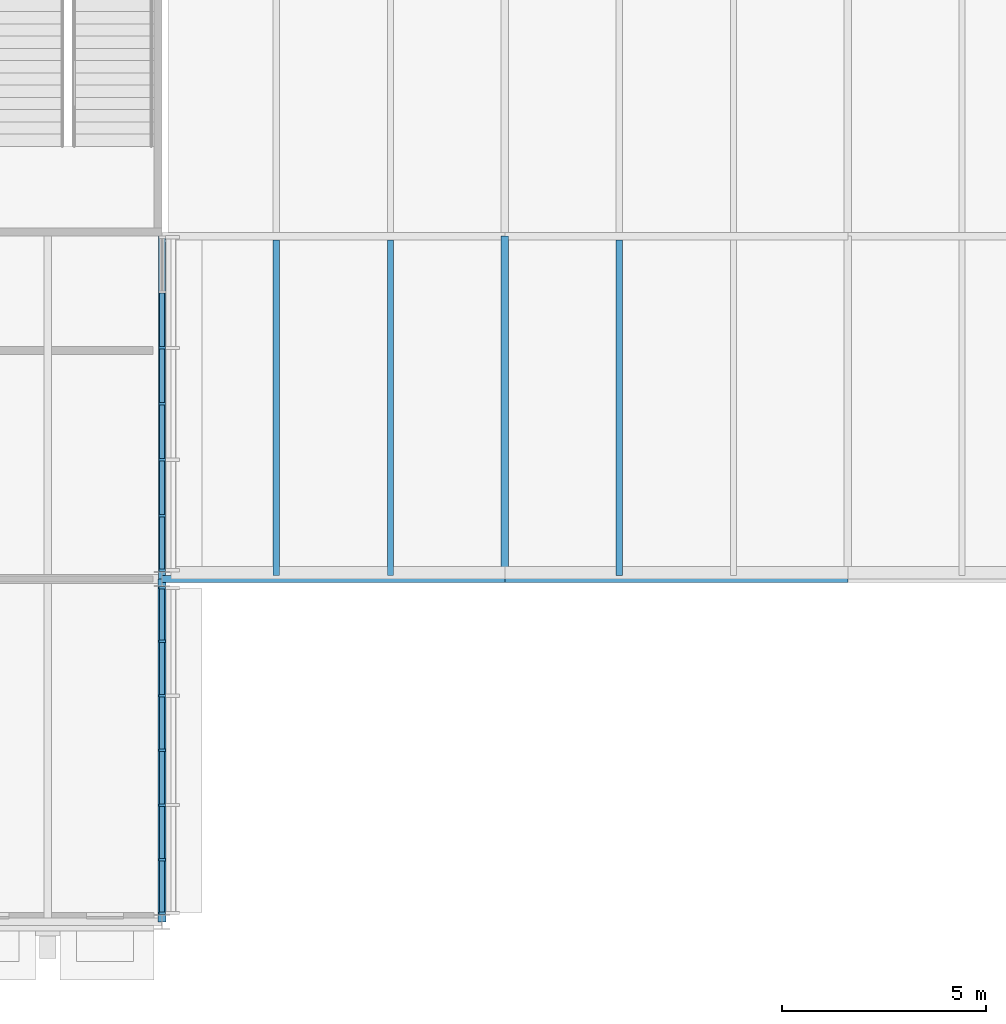
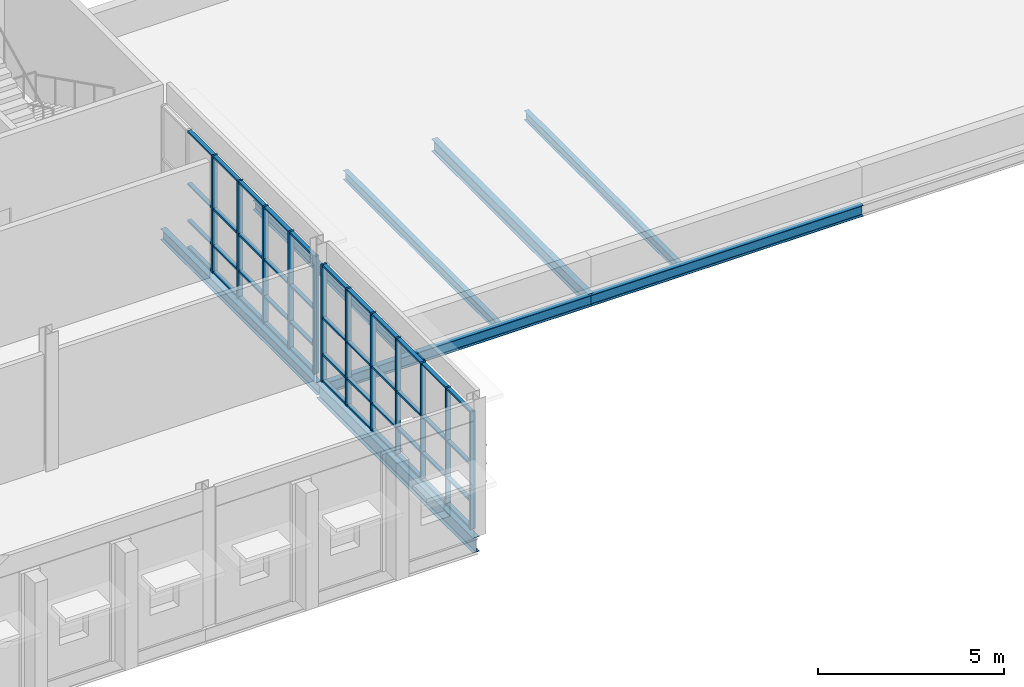
# One storey, part 6 of 29: 56 members, 8 beams, 2 elements without a shape of their own.
"""IFC4 building model written with IfcOpenShell, lengths in metres."""

from ifc_helpers import new_model, si_unit, direction, frame, origin, origin_2d, place, context, subcontext, project, spatial, rectangle, i_section, extrude, material, layer, layer_set, material_profile, profile_set, type_object, element, aggregate, save


model = new_model("IFC4")

# Units and contexts
model_context = context("Model", 3, precision=1e-05, world=origin(), true_north=direction((0.0, 1.0)))
body_context = subcontext(model_context, "Body", "Model", "MODEL_VIEW")
ifc_project = project(units=[si_unit("LENGTHUNIT", "METRE"), si_unit("AREAUNIT", "SQUARE_METRE"), si_unit("VOLUMEUNIT", "CUBIC_METRE"), si_unit("PLANEANGLEUNIT", "RADIAN"), si_unit("MASSUNIT", "GRAM", prefix="KILO")], contexts=[model_context])

# Site, building, storey
site_placement = place(None, origin())
site = spatial("IfcSite", under=ifc_project, at=site_placement, CompositionType="ELEMENT")
building_placement = place(site_placement, origin())
building = spatial("IfcBuilding", under=site, at=building_placement, Name="Ardhachandra Cancer Care Centre", CompositionType="ELEMENT")
storey_placement = place(building_placement, frame((0.0, 0.0, 13.5)))
storey = spatial("IfcBuildingStorey", under=building, at=storey_placement, Name="L03", CompositionType="ELEMENT", Elevation=13.5)

# Beams
ifc_material_1 = material(Name="Steel E350 (IS 2062)", Category="steel")
ifc_material_profile_1 = material_profile(ifc_material_1, i_section(OverallWidth=0.152099609375, OverallDepth=0.303955078125, WebThickness=0.008056640625, FlangeThickness=0.0126953125, FilletRadius=0.014892578125, at=origin_2d()), Name="NPB 300x150x49.32")
ifc_profile_set_1 = profile_set([ifc_material_profile_1], Name="Steel E350 (IS 2062)")
beam_type_1 = type_object("IfcBeamType", Name="Beam NPB 300x150x49.32", PredefinedType="BEAM", material=ifc_profile_set_1)
for number, where, z_axis, x_axis, name in (
    (1, (47.199951171875, 79.885986328125, -0.35205078125), (0.0, 1.0, 0.0), (-1.0, 0.0, 0.0), "Secondary J5-K5@2800"),
    (2, (50.0, 79.885986328125, -0.35205078125), (0.0, 1.0, 0.0), (-1.0, 0.0, 0.0), "Secondary J5-K5@5600"),
    (3, (55.60009765625, 79.885986328125, -0.35205078125), (0.0, 1.0, 0.0), (-1.0, 0.0, 0.0), "Secondary J6-K6@2800"),
):
    element("IfcBeam", number, at=place(storey_placement, frame(where, z_axis=z_axis, x_axis=x_axis)), inside=storey, type_object=beam_type_1, Name=name, PredefinedType="BEAM", context=body_context, shape_type="SweptSolid", body=[
        extrude(i_section(OverallWidth=0.152099609375, OverallDepth=0.303955078125, WebThickness=0.008056640625, FlangeThickness=0.0126953125, FilletRadius=0.014892578125, at=origin_2d()), origin(), (0.0, 0.0, 1.0), 8.22412109375),
    ])
ifc_material_2 = material(Name="Steel E350 (IS 2062)", Category="steel")
ifc_material_profile_2 = material_profile(ifc_material_2, i_section(OverallWidth=0.172119140625, OverallDepth=0.364013671875, WebThickness=0.00927734375, FlangeThickness=0.0146484375, FilletRadius=0.01806640625, at=origin_2d()), Name="NPB 350x170x66.04")
ifc_profile_set_2 = profile_set([ifc_material_profile_2], Name="Steel E350 (IS 2062)")
beam_type_2 = type_object("IfcBeamType", Name="Beam NPB 350x170x66.04", PredefinedType="BEAM", material=ifc_profile_set_2)
beam_1_placement = place(storey_placement, frame((44.39990234375, 79.800048828125, -0.382080078125), z_axis=(1.0, 0.0, 0.0), x_axis=(0.0, 1.0, 0.0)))
element("IfcBeam", 4, at=beam_1_placement, inside=storey, type_object=beam_type_2, Name="Edge girder J5-J6", PredefinedType="BEAM", context=body_context, shape_type="SweptSolid", body=[
    extrude(i_section(OverallWidth=0.172119140625, OverallDepth=0.364013671875, WebThickness=0.00927734375, FlangeThickness=0.0146484375, FilletRadius=0.01806640625, at=origin_2d()), origin(), (0.0, 0.0, 1.0), 8.400146484375),
])
for number, where, z_axis, x_axis, name in (
    (5, (52.800048828125, 79.800048828125, -0.382080078125), (1.0, 0.0, 0.0), (0.0, 1.0, 0.0), "Edge girder J6-J7"),
    (6, (44.39990234375, 79.800048828125, -0.382080078125), (0.0, 1.0, 0.0), (-1.0, 0.0, 0.0), "Edge girder J5-K5"),
):
    element("IfcBeam", number, at=place(storey_placement, frame(where, z_axis=z_axis, x_axis=x_axis)), inside=storey, type_object=beam_type_2, Name=name, PredefinedType="BEAM", context=body_context, shape_type="SweptSolid", body=[
        extrude(i_section(OverallWidth=0.172119140625, OverallDepth=0.364013671875, WebThickness=0.00927734375, FlangeThickness=0.0146484375, FilletRadius=0.01806640625, at=origin_2d()), origin(), (0.0, 0.0, 1.0), 8.39990234375),
    ])
ifc_material_3 = material(Name="Steel E350 (IS 2062)", Category="steel")
ifc_material_profile_3 = material_profile(ifc_material_3, i_section(OverallWidth=0.179931640625, OverallDepth=0.39990234375, WebThickness=0.008544921875, FlangeThickness=0.013427734375, FilletRadius=0.02099609375, at=origin_2d()), Name="NPB 400x180x66.30")
ifc_profile_set_3 = profile_set([ifc_material_profile_3], Name="Steel E350 (IS 2062)")
beam_type_3 = type_object("IfcBeamType", Name="Beam NPB 400x180x66.30", PredefinedType="BEAM", material=ifc_profile_set_3)
beam_2_placement = place(storey_placement, frame((52.800048828125, 79.800048828125, -0.39990234375), z_axis=(0.0, 1.0, 0.0), x_axis=(-1.0, 0.0, 0.0)))
element("IfcBeam", 7, at=beam_2_placement, inside=storey, type_object=beam_type_3, Name="Girder J6-K6", PredefinedType="BEAM", context=body_context, shape_type="SweptSolid", body=[
    extrude(i_section(OverallWidth=0.179931640625, OverallDepth=0.39990234375, WebThickness=0.008544921875, FlangeThickness=0.013427734375, FilletRadius=0.02099609375, at=origin_2d()), origin(), (0.0, 0.0, 1.0), 8.39990234375),
])
ifc_material_4 = material(Name="Steel E350 (IS 2062)", Category="steel")
ifc_material_profile_4 = material_profile(ifc_material_4, i_section(OverallWidth=0.199951171875, OverallDepth=0.5, WebThickness=0.01025390625, FlangeThickness=0.01611328125, FilletRadius=0.02099609375, at=origin_2d()), Name="NPB 500x200x90.68")
ifc_profile_set_4 = profile_set([ifc_material_profile_4], Name="Steel E350 (IS 2062)")
beam_type_4 = type_object("IfcBeamType", Name="Beam NPB 500x200x90.68", PredefinedType="BEAM", material=ifc_profile_set_4)
beam_3_placement = place(storey_placement, frame((44.39990234375, 71.39990234375, -0.39990234375), z_axis=(0.0, 1.0, 0.0), x_axis=(-1.0, 0.0, 0.0)))
element("IfcBeam", 8, at=beam_3_placement, inside=storey, type_object=beam_type_4, Name="Edge girder H5-J5", PredefinedType="BEAM", context=body_context, shape_type="SweptSolid", body=[
    extrude(i_section(OverallWidth=0.199951171875, OverallDepth=0.5, WebThickness=0.01025390625, FlangeThickness=0.01611328125, FilletRadius=0.02099609375, at=origin_2d()), origin(), (0.0, 0.0, 1.0), 8.400146484375),
])

# Curtain wall, members
ifc_material_5 = material(Name="Aluminium extrusion", Category="aluminium")
ifc_layer = layer(ifc_material_5, 0.14990234375)
ifc_layer_set = layer_set([ifc_layer], Name="Aluminium extrusion")
curtain_wall_type = type_object("IfcCurtainWallType", Name="Curtain wall run", PredefinedType="NOTDEFINED", material=ifc_layer_set)
curtain_wall_1_placement = place(storey_placement, origin())
curtain_wall_1 = element("IfcCurtainWall", 9, at=curtain_wall_1_placement, inside=storey, type_object=curtain_wall_type, Name="Curtain wall L03 e/0044400_0071400", PredefinedType="NOTDEFINED")
ifc_material_6 = material(Name="Aluminium extrusion", Category="aluminium")
ifc_material_profile_5 = material_profile(ifc_material_6, rectangle(XDim=0.159912109375, YDim=0.06005859375, at=origin_2d()), Name="Curtain wall mullion 60 x 160")
ifc_profile_set_5 = profile_set([ifc_material_profile_5], Name="Aluminium extrusion")
member_type_1 = type_object("IfcMemberType", Name="Curtain wall mullion 60 x 160", PredefinedType="MULLION", material=ifc_profile_set_5)
member_1_placement = place(storey_placement, frame((44.39990234375, 71.614013671875, 0.0), z_axis=(0.0, 0.0, 1.0), x_axis=(-1.0, 0.0, 0.0)))
member_1 = element("IfcMember", 10, at=member_1_placement, type_object=member_type_1, Name="CW mullion 1", PredefinedType="MULLION", context=body_context, shape_type="SweptSolid", body=[
    extrude(rectangle(XDim=0.159912109375, YDim=0.06005859375, at=origin_2d()), origin(), (0.0, 0.0, 1.0), 3.85009765625),
])
member_2_placement = place(storey_placement, frame((44.39990234375, 72.922607421875, 0.0), z_axis=(0.0, 0.0, 1.0), x_axis=(-1.0, 0.0, 0.0)))
member_2 = element("IfcMember", 11, at=member_2_placement, type_object=member_type_1, Name="CW mullion 2", PredefinedType="MULLION", context=body_context, shape_type="SweptSolid", body=[
    extrude(rectangle(XDim=0.159912109375, YDim=0.06005859375, at=origin_2d()), origin(), (0.0, 0.0, 1.0), 3.85009765625),
])
member_3_placement = place(storey_placement, frame((44.39990234375, 74.26123046875, 0.0), z_axis=(0.0, 0.0, 1.0), x_axis=(-1.0, 0.0, 0.0)))
member_3 = element("IfcMember", 12, at=member_3_placement, type_object=member_type_1, Name="CW mullion 3", PredefinedType="MULLION", context=body_context, shape_type="SweptSolid", body=[
    extrude(rectangle(XDim=0.159912109375, YDim=0.06005859375, at=origin_2d()), origin(), (0.0, 0.0, 1.0), 3.85009765625),
])
member_4_placement = place(storey_placement, frame((44.39990234375, 75.60009765625, 0.0), z_axis=(0.0, 0.0, 1.0), x_axis=(-1.0, 0.0, 0.0)))
member_4 = element("IfcMember", 13, at=member_4_placement, type_object=member_type_1, Name="CW mullion 4", PredefinedType="MULLION", context=body_context, shape_type="SweptSolid", body=[
    extrude(rectangle(XDim=0.159912109375, YDim=0.06005859375, at=origin_2d()), origin(), (0.0, 0.0, 1.0), 3.85009765625),
])
member_5_placement = place(storey_placement, frame((44.39990234375, 76.938720703125, 0.0), z_axis=(0.0, 0.0, 1.0), x_axis=(-1.0, 0.0, 0.0)))
member_5 = element("IfcMember", 14, at=member_5_placement, type_object=member_type_1, Name="CW mullion 5", PredefinedType="MULLION", context=body_context, shape_type="SweptSolid", body=[
    extrude(rectangle(XDim=0.159912109375, YDim=0.06005859375, at=origin_2d()), origin(), (0.0, 0.0, 1.0), 3.85009765625),
])
member_6_placement = place(storey_placement, frame((44.39990234375, 78.27734375, 0.0), z_axis=(0.0, 0.0, 1.0), x_axis=(-1.0, 0.0, 0.0)))
member_6 = element("IfcMember", 15, at=member_6_placement, type_object=member_type_1, Name="CW mullion 6", PredefinedType="MULLION", context=body_context, shape_type="SweptSolid", body=[
    extrude(rectangle(XDim=0.159912109375, YDim=0.06005859375, at=origin_2d()), origin(), (0.0, 0.0, 1.0), 3.85009765625),
])
member_7_placement = place(storey_placement, frame((44.39990234375, 79.5859375, 0.0), z_axis=(0.0, 0.0, 1.0), x_axis=(-1.0, 0.0, 0.0)))
member_7 = element("IfcMember", 16, at=member_7_placement, type_object=member_type_1, Name="CW mullion 7", PredefinedType="MULLION", context=body_context, shape_type="SweptSolid", body=[
    extrude(rectangle(XDim=0.159912109375, YDim=0.06005859375, at=origin_2d()), origin(), (0.0, 0.0, 1.0), 3.85009765625),
])

curtain_wall_2_placement = place(storey_placement, origin())
curtain_wall_2 = element("IfcCurtainWall", 17, at=curtain_wall_2_placement, inside=storey, type_object=curtain_wall_type, Name="Curtain wall L03 e/0044400_0079800", PredefinedType="NOTDEFINED")
member_8_placement = place(storey_placement, frame((44.39990234375, 80.013916015625, 0.0), z_axis=(0.0, 0.0, 1.0), x_axis=(-1.0, 0.0, 0.0)))
member_8 = element("IfcMember", 18, at=member_8_placement, type_object=member_type_1, Name="CW mullion 1", PredefinedType="MULLION", context=body_context, shape_type="SweptSolid", body=[
    extrude(rectangle(XDim=0.159912109375, YDim=0.06005859375, at=origin_2d()), origin(), (0.0, 0.0, 1.0), 3.85009765625),
])
member_9_placement = place(storey_placement, frame((44.39990234375, 81.353271484375, 0.0), z_axis=(0.0, 0.0, 1.0), x_axis=(-1.0, 0.0, 0.0)))
member_9 = element("IfcMember", 19, at=member_9_placement, type_object=member_type_1, Name="CW mullion 2", PredefinedType="MULLION", context=body_context, shape_type="SweptSolid", body=[
    extrude(rectangle(XDim=0.159912109375, YDim=0.06005859375, at=origin_2d()), origin(), (0.0, 0.0, 1.0), 3.85009765625),
])
member_10_placement = place(storey_placement, frame((44.39990234375, 82.72265625, 0.0), z_axis=(0.0, 0.0, 1.0), x_axis=(-1.0, 0.0, 0.0)))
member_10 = element("IfcMember", 20, at=member_10_placement, type_object=member_type_1, Name="CW mullion 3", PredefinedType="MULLION", context=body_context, shape_type="SweptSolid", body=[
    extrude(rectangle(XDim=0.159912109375, YDim=0.06005859375, at=origin_2d()), origin(), (0.0, 0.0, 1.0), 3.85009765625),
])
member_11_placement = place(storey_placement, frame((44.39990234375, 84.092041015625, 0.0), z_axis=(0.0, 0.0, 1.0), x_axis=(-1.0, 0.0, 0.0)))
member_11 = element("IfcMember", 21, at=member_11_placement, type_object=member_type_1, Name="CW mullion 4", PredefinedType="MULLION", context=body_context, shape_type="SweptSolid", body=[
    extrude(rectangle(XDim=0.159912109375, YDim=0.06005859375, at=origin_2d()), origin(), (0.0, 0.0, 1.0), 3.85009765625),
])
member_12_placement = place(storey_placement, frame((44.39990234375, 85.46142578125, 0.0), z_axis=(0.0, 0.0, 1.0), x_axis=(-1.0, 0.0, 0.0)))
member_12 = element("IfcMember", 22, at=member_12_placement, type_object=member_type_1, Name="CW mullion 5", PredefinedType="MULLION", context=body_context, shape_type="SweptSolid", body=[
    extrude(rectangle(XDim=0.159912109375, YDim=0.06005859375, at=origin_2d()), origin(), (0.0, 0.0, 1.0), 3.85009765625),
])

# Member
ifc_material_7 = material(Name="Aluminium extrusion", Category="aluminium")
ifc_material_profile_6 = material_profile(ifc_material_7, rectangle(XDim=0.1201171875, YDim=0.06005859375, at=origin_2d()), Name="Curtain wall transom 60 x 120")
ifc_profile_set_6 = profile_set([ifc_material_profile_6], Name="Aluminium extrusion")
member_type_2 = type_object("IfcMemberType", Name="Curtain wall transom 60 x 120", PredefinedType="USERDEFINED", material=ifc_profile_set_6)
member_13_placement = place(storey_placement, frame((44.39990234375, 71.64404296875, 0.030029296875), z_axis=(0.0, 1.0, 0.0), x_axis=(-1.0, 0.0, 0.0)))
member_13 = element("IfcMember", 23, at=member_13_placement, type_object=member_type_2, Name="CW transom 1.1", ObjectType="TRANSOM", PredefinedType="USERDEFINED", context=body_context, shape_type="SweptSolid", body=[
    extrude(rectangle(XDim=0.1201171875, YDim=0.06005859375, at=origin_2d()), origin(), (0.0, 0.0, 1.0), 1.24853515625),
])

member_14_placement = place(storey_placement, frame((44.39990234375, 71.64404296875, 0.89990234375), z_axis=(0.0, 1.0, 0.0), x_axis=(-1.0, 0.0, 0.0)))
member_14 = element("IfcMember", 24, at=member_14_placement, type_object=member_type_2, Name="CW transom 1.2", ObjectType="TRANSOM", PredefinedType="USERDEFINED", context=body_context, shape_type="SweptSolid", body=[
    extrude(rectangle(XDim=0.1201171875, YDim=0.06005859375, at=origin_2d()), origin(), (0.0, 0.0, 1.0), 1.24853515625),
])

member_15_placement = place(storey_placement, frame((44.39990234375, 71.64404296875, 2.10009765625), z_axis=(0.0, 1.0, 0.0), x_axis=(-1.0, 0.0, 0.0)))
member_15 = element("IfcMember", 25, at=member_15_placement, type_object=member_type_2, Name="CW transom 1.3", ObjectType="TRANSOM", PredefinedType="USERDEFINED", context=body_context, shape_type="SweptSolid", body=[
    extrude(rectangle(XDim=0.1201171875, YDim=0.06005859375, at=origin_2d()), origin(), (0.0, 0.0, 1.0), 1.24853515625),
])

member_16_placement = place(storey_placement, frame((44.39990234375, 71.64404296875, 3.820068359375), z_axis=(0.0, 1.0, 0.0), x_axis=(-1.0, 0.0, 0.0)))
member_16 = element("IfcMember", 26, at=member_16_placement, type_object=member_type_2, Name="CW transom 1.4", ObjectType="TRANSOM", PredefinedType="USERDEFINED", context=body_context, shape_type="SweptSolid", body=[
    extrude(rectangle(XDim=0.1201171875, YDim=0.06005859375, at=origin_2d()), origin(), (0.0, 0.0, 1.0), 1.24853515625),
])

member_17_placement = place(storey_placement, frame((44.39990234375, 72.95263671875, 0.030029296875), z_axis=(0.0, 1.0, 0.0), x_axis=(-1.0, 0.0, 0.0)))
member_17 = element("IfcMember", 27, at=member_17_placement, type_object=member_type_2, Name="CW transom 2.1", ObjectType="TRANSOM", PredefinedType="USERDEFINED", context=body_context, shape_type="SweptSolid", body=[
    extrude(rectangle(XDim=0.1201171875, YDim=0.06005859375, at=origin_2d()), origin(), (0.0, 0.0, 1.0), 1.27880859375),
])

member_18_placement = place(storey_placement, frame((44.39990234375, 72.95263671875, 0.89990234375), z_axis=(0.0, 1.0, 0.0), x_axis=(-1.0, 0.0, 0.0)))
member_18 = element("IfcMember", 28, at=member_18_placement, type_object=member_type_2, Name="CW transom 2.2", ObjectType="TRANSOM", PredefinedType="USERDEFINED", context=body_context, shape_type="SweptSolid", body=[
    extrude(rectangle(XDim=0.1201171875, YDim=0.06005859375, at=origin_2d()), origin(), (0.0, 0.0, 1.0), 1.27880859375),
])

member_19_placement = place(storey_placement, frame((44.39990234375, 72.95263671875, 2.10009765625), z_axis=(0.0, 1.0, 0.0), x_axis=(-1.0, 0.0, 0.0)))
member_19 = element("IfcMember", 29, at=member_19_placement, type_object=member_type_2, Name="CW transom 2.3", ObjectType="TRANSOM", PredefinedType="USERDEFINED", context=body_context, shape_type="SweptSolid", body=[
    extrude(rectangle(XDim=0.1201171875, YDim=0.06005859375, at=origin_2d()), origin(), (0.0, 0.0, 1.0), 1.27880859375),
])

member_20_placement = place(storey_placement, frame((44.39990234375, 72.95263671875, 3.820068359375), z_axis=(0.0, 1.0, 0.0), x_axis=(-1.0, 0.0, 0.0)))
member_20 = element("IfcMember", 30, at=member_20_placement, type_object=member_type_2, Name="CW transom 2.4", ObjectType="TRANSOM", PredefinedType="USERDEFINED", context=body_context, shape_type="SweptSolid", body=[
    extrude(rectangle(XDim=0.1201171875, YDim=0.06005859375, at=origin_2d()), origin(), (0.0, 0.0, 1.0), 1.27880859375),
])

member_21_placement = place(storey_placement, frame((44.39990234375, 74.291259765625, 0.030029296875), z_axis=(0.0, 1.0, 0.0), x_axis=(-1.0, 0.0, 0.0)))
member_21 = element("IfcMember", 31, at=member_21_placement, type_object=member_type_2, Name="CW transom 3.1", ObjectType="TRANSOM", PredefinedType="USERDEFINED", context=body_context, shape_type="SweptSolid", body=[
    extrude(rectangle(XDim=0.1201171875, YDim=0.06005859375, at=origin_2d()), origin(), (0.0, 0.0, 1.0), 1.27880859375),
])

member_22_placement = place(storey_placement, frame((44.39990234375, 74.291259765625, 0.89990234375), z_axis=(0.0, 1.0, 0.0), x_axis=(-1.0, 0.0, 0.0)))
member_22 = element("IfcMember", 32, at=member_22_placement, type_object=member_type_2, Name="CW transom 3.2", ObjectType="TRANSOM", PredefinedType="USERDEFINED", context=body_context, shape_type="SweptSolid", body=[
    extrude(rectangle(XDim=0.1201171875, YDim=0.06005859375, at=origin_2d()), origin(), (0.0, 0.0, 1.0), 1.27880859375),
])

member_23_placement = place(storey_placement, frame((44.39990234375, 74.291259765625, 2.10009765625), z_axis=(0.0, 1.0, 0.0), x_axis=(-1.0, 0.0, 0.0)))
member_23 = element("IfcMember", 33, at=member_23_placement, type_object=member_type_2, Name="CW transom 3.3", ObjectType="TRANSOM", PredefinedType="USERDEFINED", context=body_context, shape_type="SweptSolid", body=[
    extrude(rectangle(XDim=0.1201171875, YDim=0.06005859375, at=origin_2d()), origin(), (0.0, 0.0, 1.0), 1.27880859375),
])

member_24_placement = place(storey_placement, frame((44.39990234375, 74.291259765625, 3.820068359375), z_axis=(0.0, 1.0, 0.0), x_axis=(-1.0, 0.0, 0.0)))
member_24 = element("IfcMember", 34, at=member_24_placement, type_object=member_type_2, Name="CW transom 3.4", ObjectType="TRANSOM", PredefinedType="USERDEFINED", context=body_context, shape_type="SweptSolid", body=[
    extrude(rectangle(XDim=0.1201171875, YDim=0.06005859375, at=origin_2d()), origin(), (0.0, 0.0, 1.0), 1.27880859375),
])

member_25_placement = place(storey_placement, frame((44.39990234375, 75.6298828125, 0.030029296875), z_axis=(0.0, 1.0, 0.0), x_axis=(-1.0, 0.0, 0.0)))
member_25 = element("IfcMember", 35, at=member_25_placement, type_object=member_type_2, Name="CW transom 4.1", ObjectType="TRANSOM", PredefinedType="USERDEFINED", context=body_context, shape_type="SweptSolid", body=[
    extrude(rectangle(XDim=0.1201171875, YDim=0.06005859375, at=origin_2d()), origin(), (0.0, 0.0, 1.0), 1.27880859375),
])

member_26_placement = place(storey_placement, frame((44.39990234375, 75.6298828125, 0.89990234375), z_axis=(0.0, 1.0, 0.0), x_axis=(-1.0, 0.0, 0.0)))
member_26 = element("IfcMember", 36, at=member_26_placement, type_object=member_type_2, Name="CW transom 4.2", ObjectType="TRANSOM", PredefinedType="USERDEFINED", context=body_context, shape_type="SweptSolid", body=[
    extrude(rectangle(XDim=0.1201171875, YDim=0.06005859375, at=origin_2d()), origin(), (0.0, 0.0, 1.0), 1.27880859375),
])

member_27_placement = place(storey_placement, frame((44.39990234375, 75.6298828125, 2.10009765625), z_axis=(0.0, 1.0, 0.0), x_axis=(-1.0, 0.0, 0.0)))
member_27 = element("IfcMember", 37, at=member_27_placement, type_object=member_type_2, Name="CW transom 4.3", ObjectType="TRANSOM", PredefinedType="USERDEFINED", context=body_context, shape_type="SweptSolid", body=[
    extrude(rectangle(XDim=0.1201171875, YDim=0.06005859375, at=origin_2d()), origin(), (0.0, 0.0, 1.0), 1.27880859375),
])

member_28_placement = place(storey_placement, frame((44.39990234375, 75.6298828125, 3.820068359375), z_axis=(0.0, 1.0, 0.0), x_axis=(-1.0, 0.0, 0.0)))
member_28 = element("IfcMember", 38, at=member_28_placement, type_object=member_type_2, Name="CW transom 4.4", ObjectType="TRANSOM", PredefinedType="USERDEFINED", context=body_context, shape_type="SweptSolid", body=[
    extrude(rectangle(XDim=0.1201171875, YDim=0.06005859375, at=origin_2d()), origin(), (0.0, 0.0, 1.0), 1.27880859375),
])

member_29_placement = place(storey_placement, frame((44.39990234375, 76.96875, 0.030029296875), z_axis=(0.0, 1.0, 0.0), x_axis=(-1.0, 0.0, 0.0)))
member_29 = element("IfcMember", 39, at=member_29_placement, type_object=member_type_2, Name="CW transom 5.1", ObjectType="TRANSOM", PredefinedType="USERDEFINED", context=body_context, shape_type="SweptSolid", body=[
    extrude(rectangle(XDim=0.1201171875, YDim=0.06005859375, at=origin_2d()), origin(), (0.0, 0.0, 1.0), 1.278564453125),
])

member_30_placement = place(storey_placement, frame((44.39990234375, 76.96875, 0.89990234375), z_axis=(0.0, 1.0, 0.0), x_axis=(-1.0, 0.0, 0.0)))
member_30 = element("IfcMember", 40, at=member_30_placement, type_object=member_type_2, Name="CW transom 5.2", ObjectType="TRANSOM", PredefinedType="USERDEFINED", context=body_context, shape_type="SweptSolid", body=[
    extrude(rectangle(XDim=0.1201171875, YDim=0.06005859375, at=origin_2d()), origin(), (0.0, 0.0, 1.0), 1.278564453125),
])

member_31_placement = place(storey_placement, frame((44.39990234375, 76.96875, 2.10009765625), z_axis=(0.0, 1.0, 0.0), x_axis=(-1.0, 0.0, 0.0)))
member_31 = element("IfcMember", 41, at=member_31_placement, type_object=member_type_2, Name="CW transom 5.3", ObjectType="TRANSOM", PredefinedType="USERDEFINED", context=body_context, shape_type="SweptSolid", body=[
    extrude(rectangle(XDim=0.1201171875, YDim=0.06005859375, at=origin_2d()), origin(), (0.0, 0.0, 1.0), 1.278564453125),
])

member_32_placement = place(storey_placement, frame((44.39990234375, 76.96875, 3.820068359375), z_axis=(0.0, 1.0, 0.0), x_axis=(-1.0, 0.0, 0.0)))
member_32 = element("IfcMember", 42, at=member_32_placement, type_object=member_type_2, Name="CW transom 5.4", ObjectType="TRANSOM", PredefinedType="USERDEFINED", context=body_context, shape_type="SweptSolid", body=[
    extrude(rectangle(XDim=0.1201171875, YDim=0.06005859375, at=origin_2d()), origin(), (0.0, 0.0, 1.0), 1.278564453125),
])

member_33_placement = place(storey_placement, frame((44.39990234375, 78.307373046875, 0.030029296875), z_axis=(0.0, 1.0, 0.0), x_axis=(-1.0, 0.0, 0.0)))
member_33 = element("IfcMember", 43, at=member_33_placement, type_object=member_type_2, Name="CW transom 6.1", ObjectType="TRANSOM", PredefinedType="USERDEFINED", context=body_context, shape_type="SweptSolid", body=[
    extrude(rectangle(XDim=0.1201171875, YDim=0.06005859375, at=origin_2d()), origin(), (0.0, 0.0, 1.0), 1.24853515625),
])

member_34_placement = place(storey_placement, frame((44.39990234375, 78.307373046875, 0.89990234375), z_axis=(0.0, 1.0, 0.0), x_axis=(-1.0, 0.0, 0.0)))
member_34 = element("IfcMember", 44, at=member_34_placement, type_object=member_type_2, Name="CW transom 6.2", ObjectType="TRANSOM", PredefinedType="USERDEFINED", context=body_context, shape_type="SweptSolid", body=[
    extrude(rectangle(XDim=0.1201171875, YDim=0.06005859375, at=origin_2d()), origin(), (0.0, 0.0, 1.0), 1.24853515625),
])

member_35_placement = place(storey_placement, frame((44.39990234375, 78.307373046875, 2.10009765625), z_axis=(0.0, 1.0, 0.0), x_axis=(-1.0, 0.0, 0.0)))
member_35 = element("IfcMember", 45, at=member_35_placement, type_object=member_type_2, Name="CW transom 6.3", ObjectType="TRANSOM", PredefinedType="USERDEFINED", context=body_context, shape_type="SweptSolid", body=[
    extrude(rectangle(XDim=0.1201171875, YDim=0.06005859375, at=origin_2d()), origin(), (0.0, 0.0, 1.0), 1.24853515625),
])

member_36_placement = place(storey_placement, frame((44.39990234375, 78.307373046875, 3.820068359375), z_axis=(0.0, 1.0, 0.0), x_axis=(-1.0, 0.0, 0.0)))
member_36 = element("IfcMember", 46, at=member_36_placement, type_object=member_type_2, Name="CW transom 6.4", ObjectType="TRANSOM", PredefinedType="USERDEFINED", context=body_context, shape_type="SweptSolid", body=[
    extrude(rectangle(XDim=0.1201171875, YDim=0.06005859375, at=origin_2d()), origin(), (0.0, 0.0, 1.0), 1.24853515625),
])

aggregate(curtain_wall_1, [member_1, member_2, member_3, member_4, member_5, member_6, member_7, member_13, member_14, member_15, member_16, member_17, member_18, member_19, member_20, member_21, member_22, member_23, member_24, member_25, member_26, member_27, member_28, member_29, member_30, member_31, member_32, member_33, member_34, member_35, member_36])

member_37_placement = place(storey_placement, frame((44.39990234375, 80.0439453125, 0.030029296875), z_axis=(0.0, 1.0, 0.0), x_axis=(-1.0, 0.0, 0.0)))
member_37 = element("IfcMember", 47, at=member_37_placement, type_object=member_type_2, Name="CW transom 1.1", ObjectType="TRANSOM", PredefinedType="USERDEFINED", context=body_context, shape_type="SweptSolid", body=[
    extrude(rectangle(XDim=0.1201171875, YDim=0.06005859375, at=origin_2d()), origin(), (0.0, 0.0, 1.0), 1.279296875),
])

member_38_placement = place(storey_placement, frame((44.39990234375, 80.0439453125, 0.89990234375), z_axis=(0.0, 1.0, 0.0), x_axis=(-1.0, 0.0, 0.0)))
member_38 = element("IfcMember", 48, at=member_38_placement, type_object=member_type_2, Name="CW transom 1.2", ObjectType="TRANSOM", PredefinedType="USERDEFINED", context=body_context, shape_type="SweptSolid", body=[
    extrude(rectangle(XDim=0.1201171875, YDim=0.06005859375, at=origin_2d()), origin(), (0.0, 0.0, 1.0), 1.279296875),
])

member_39_placement = place(storey_placement, frame((44.39990234375, 80.0439453125, 2.10009765625), z_axis=(0.0, 1.0, 0.0), x_axis=(-1.0, 0.0, 0.0)))
member_39 = element("IfcMember", 49, at=member_39_placement, type_object=member_type_2, Name="CW transom 1.3", ObjectType="TRANSOM", PredefinedType="USERDEFINED", context=body_context, shape_type="SweptSolid", body=[
    extrude(rectangle(XDim=0.1201171875, YDim=0.06005859375, at=origin_2d()), origin(), (0.0, 0.0, 1.0), 1.279296875),
])

member_40_placement = place(storey_placement, frame((44.39990234375, 80.0439453125, 3.820068359375), z_axis=(0.0, 1.0, 0.0), x_axis=(-1.0, 0.0, 0.0)))
member_40 = element("IfcMember", 50, at=member_40_placement, type_object=member_type_2, Name="CW transom 1.4", ObjectType="TRANSOM", PredefinedType="USERDEFINED", context=body_context, shape_type="SweptSolid", body=[
    extrude(rectangle(XDim=0.1201171875, YDim=0.06005859375, at=origin_2d()), origin(), (0.0, 0.0, 1.0), 1.279296875),
])

member_41_placement = place(storey_placement, frame((44.39990234375, 81.38330078125, 0.030029296875), z_axis=(0.0, 1.0, 0.0), x_axis=(-1.0, 0.0, 0.0)))
member_41 = element("IfcMember", 51, at=member_41_placement, type_object=member_type_2, Name="CW transom 2.1", ObjectType="TRANSOM", PredefinedType="USERDEFINED", context=body_context, shape_type="SweptSolid", body=[
    extrude(rectangle(XDim=0.1201171875, YDim=0.06005859375, at=origin_2d()), origin(), (0.0, 0.0, 1.0), 1.309326171875),
])

member_42_placement = place(storey_placement, frame((44.39990234375, 81.38330078125, 0.89990234375), z_axis=(0.0, 1.0, 0.0), x_axis=(-1.0, 0.0, 0.0)))
member_42 = element("IfcMember", 52, at=member_42_placement, type_object=member_type_2, Name="CW transom 2.2", ObjectType="TRANSOM", PredefinedType="USERDEFINED", context=body_context, shape_type="SweptSolid", body=[
    extrude(rectangle(XDim=0.1201171875, YDim=0.06005859375, at=origin_2d()), origin(), (0.0, 0.0, 1.0), 1.309326171875),
])

member_43_placement = place(storey_placement, frame((44.39990234375, 81.38330078125, 2.10009765625), z_axis=(0.0, 1.0, 0.0), x_axis=(-1.0, 0.0, 0.0)))
member_43 = element("IfcMember", 53, at=member_43_placement, type_object=member_type_2, Name="CW transom 2.3", ObjectType="TRANSOM", PredefinedType="USERDEFINED", context=body_context, shape_type="SweptSolid", body=[
    extrude(rectangle(XDim=0.1201171875, YDim=0.06005859375, at=origin_2d()), origin(), (0.0, 0.0, 1.0), 1.309326171875),
])

member_44_placement = place(storey_placement, frame((44.39990234375, 81.38330078125, 3.820068359375), z_axis=(0.0, 1.0, 0.0), x_axis=(-1.0, 0.0, 0.0)))
member_44 = element("IfcMember", 54, at=member_44_placement, type_object=member_type_2, Name="CW transom 2.4", ObjectType="TRANSOM", PredefinedType="USERDEFINED", context=body_context, shape_type="SweptSolid", body=[
    extrude(rectangle(XDim=0.1201171875, YDim=0.06005859375, at=origin_2d()), origin(), (0.0, 0.0, 1.0), 1.309326171875),
])

member_45_placement = place(storey_placement, frame((44.39990234375, 82.752685546875, 0.030029296875), z_axis=(0.0, 1.0, 0.0), x_axis=(-1.0, 0.0, 0.0)))
member_45 = element("IfcMember", 55, at=member_45_placement, type_object=member_type_2, Name="CW transom 3.1", ObjectType="TRANSOM", PredefinedType="USERDEFINED", context=body_context, shape_type="SweptSolid", body=[
    extrude(rectangle(XDim=0.1201171875, YDim=0.06005859375, at=origin_2d()), origin(), (0.0, 0.0, 1.0), 1.309326171875),
])

member_46_placement = place(storey_placement, frame((44.39990234375, 82.752685546875, 0.89990234375), z_axis=(0.0, 1.0, 0.0), x_axis=(-1.0, 0.0, 0.0)))
member_46 = element("IfcMember", 56, at=member_46_placement, type_object=member_type_2, Name="CW transom 3.2", ObjectType="TRANSOM", PredefinedType="USERDEFINED", context=body_context, shape_type="SweptSolid", body=[
    extrude(rectangle(XDim=0.1201171875, YDim=0.06005859375, at=origin_2d()), origin(), (0.0, 0.0, 1.0), 1.309326171875),
])

member_47_placement = place(storey_placement, frame((44.39990234375, 82.752685546875, 2.10009765625), z_axis=(0.0, 1.0, 0.0), x_axis=(-1.0, 0.0, 0.0)))
member_47 = element("IfcMember", 57, at=member_47_placement, type_object=member_type_2, Name="CW transom 3.3", ObjectType="TRANSOM", PredefinedType="USERDEFINED", context=body_context, shape_type="SweptSolid", body=[
    extrude(rectangle(XDim=0.1201171875, YDim=0.06005859375, at=origin_2d()), origin(), (0.0, 0.0, 1.0), 1.309326171875),
])

member_48_placement = place(storey_placement, frame((44.39990234375, 82.752685546875, 3.820068359375), z_axis=(0.0, 1.0, 0.0), x_axis=(-1.0, 0.0, 0.0)))
member_48 = element("IfcMember", 58, at=member_48_placement, type_object=member_type_2, Name="CW transom 3.4", ObjectType="TRANSOM", PredefinedType="USERDEFINED", context=body_context, shape_type="SweptSolid", body=[
    extrude(rectangle(XDim=0.1201171875, YDim=0.06005859375, at=origin_2d()), origin(), (0.0, 0.0, 1.0), 1.309326171875),
])

member_49_placement = place(storey_placement, frame((44.39990234375, 84.1220703125, 0.030029296875), z_axis=(0.0, 1.0, 0.0), x_axis=(-1.0, 0.0, 0.0)))
member_49 = element("IfcMember", 59, at=member_49_placement, type_object=member_type_2, Name="CW transom 4.1", ObjectType="TRANSOM", PredefinedType="USERDEFINED", context=body_context, shape_type="SweptSolid", body=[
    extrude(rectangle(XDim=0.1201171875, YDim=0.06005859375, at=origin_2d()), origin(), (0.0, 0.0, 1.0), 1.309326171875),
])

member_50_placement = place(storey_placement, frame((44.39990234375, 84.1220703125, 0.89990234375), z_axis=(0.0, 1.0, 0.0), x_axis=(-1.0, 0.0, 0.0)))
member_50 = element("IfcMember", 60, at=member_50_placement, type_object=member_type_2, Name="CW transom 4.2", ObjectType="TRANSOM", PredefinedType="USERDEFINED", context=body_context, shape_type="SweptSolid", body=[
    extrude(rectangle(XDim=0.1201171875, YDim=0.06005859375, at=origin_2d()), origin(), (0.0, 0.0, 1.0), 1.309326171875),
])

member_51_placement = place(storey_placement, frame((44.39990234375, 84.1220703125, 2.10009765625), z_axis=(0.0, 1.0, 0.0), x_axis=(-1.0, 0.0, 0.0)))
member_51 = element("IfcMember", 61, at=member_51_placement, type_object=member_type_2, Name="CW transom 4.3", ObjectType="TRANSOM", PredefinedType="USERDEFINED", context=body_context, shape_type="SweptSolid", body=[
    extrude(rectangle(XDim=0.1201171875, YDim=0.06005859375, at=origin_2d()), origin(), (0.0, 0.0, 1.0), 1.309326171875),
])

member_52_placement = place(storey_placement, frame((44.39990234375, 84.1220703125, 3.820068359375), z_axis=(0.0, 1.0, 0.0), x_axis=(-1.0, 0.0, 0.0)))
member_52 = element("IfcMember", 62, at=member_52_placement, type_object=member_type_2, Name="CW transom 4.4", ObjectType="TRANSOM", PredefinedType="USERDEFINED", context=body_context, shape_type="SweptSolid", body=[
    extrude(rectangle(XDim=0.1201171875, YDim=0.06005859375, at=origin_2d()), origin(), (0.0, 0.0, 1.0), 1.309326171875),
])

member_53_placement = place(storey_placement, frame((44.39990234375, 85.491455078125, 0.030029296875), z_axis=(0.0, 1.0, 0.0), x_axis=(-1.0, 0.0, 0.0)))
member_53 = element("IfcMember", 63, at=member_53_placement, type_object=member_type_2, Name="CW transom 5.1", ObjectType="TRANSOM", PredefinedType="USERDEFINED", context=body_context, shape_type="SweptSolid", body=[
    extrude(rectangle(XDim=0.1201171875, YDim=0.06005859375, at=origin_2d()), origin(), (0.0, 0.0, 1.0), 1.309326171875),
])

member_54_placement = place(storey_placement, frame((44.39990234375, 85.491455078125, 0.89990234375), z_axis=(0.0, 1.0, 0.0), x_axis=(-1.0, 0.0, 0.0)))
member_54 = element("IfcMember", 64, at=member_54_placement, type_object=member_type_2, Name="CW transom 5.2", ObjectType="TRANSOM", PredefinedType="USERDEFINED", context=body_context, shape_type="SweptSolid", body=[
    extrude(rectangle(XDim=0.1201171875, YDim=0.06005859375, at=origin_2d()), origin(), (0.0, 0.0, 1.0), 1.309326171875),
])

member_55_placement = place(storey_placement, frame((44.39990234375, 85.491455078125, 2.10009765625), z_axis=(0.0, 1.0, 0.0), x_axis=(-1.0, 0.0, 0.0)))
member_55 = element("IfcMember", 65, at=member_55_placement, type_object=member_type_2, Name="CW transom 5.3", ObjectType="TRANSOM", PredefinedType="USERDEFINED", context=body_context, shape_type="SweptSolid", body=[
    extrude(rectangle(XDim=0.1201171875, YDim=0.06005859375, at=origin_2d()), origin(), (0.0, 0.0, 1.0), 1.309326171875),
])

member_56_placement = place(storey_placement, frame((44.39990234375, 85.491455078125, 3.820068359375), z_axis=(0.0, 1.0, 0.0), x_axis=(-1.0, 0.0, 0.0)))
member_56 = element("IfcMember", 66, at=member_56_placement, type_object=member_type_2, Name="CW transom 5.4", ObjectType="TRANSOM", PredefinedType="USERDEFINED", context=body_context, shape_type="SweptSolid", body=[
    extrude(rectangle(XDim=0.1201171875, YDim=0.06005859375, at=origin_2d()), origin(), (0.0, 0.0, 1.0), 1.309326171875),
])

aggregate(curtain_wall_2, [member_8, member_9, member_10, member_11, member_12, member_37, member_38, member_39, member_40, member_41, member_42, member_43, member_44, member_45, member_46, member_47, member_48, member_49, member_50, member_51, member_52, member_53, member_54, member_55, member_56])

save(model, "model.ifc")
